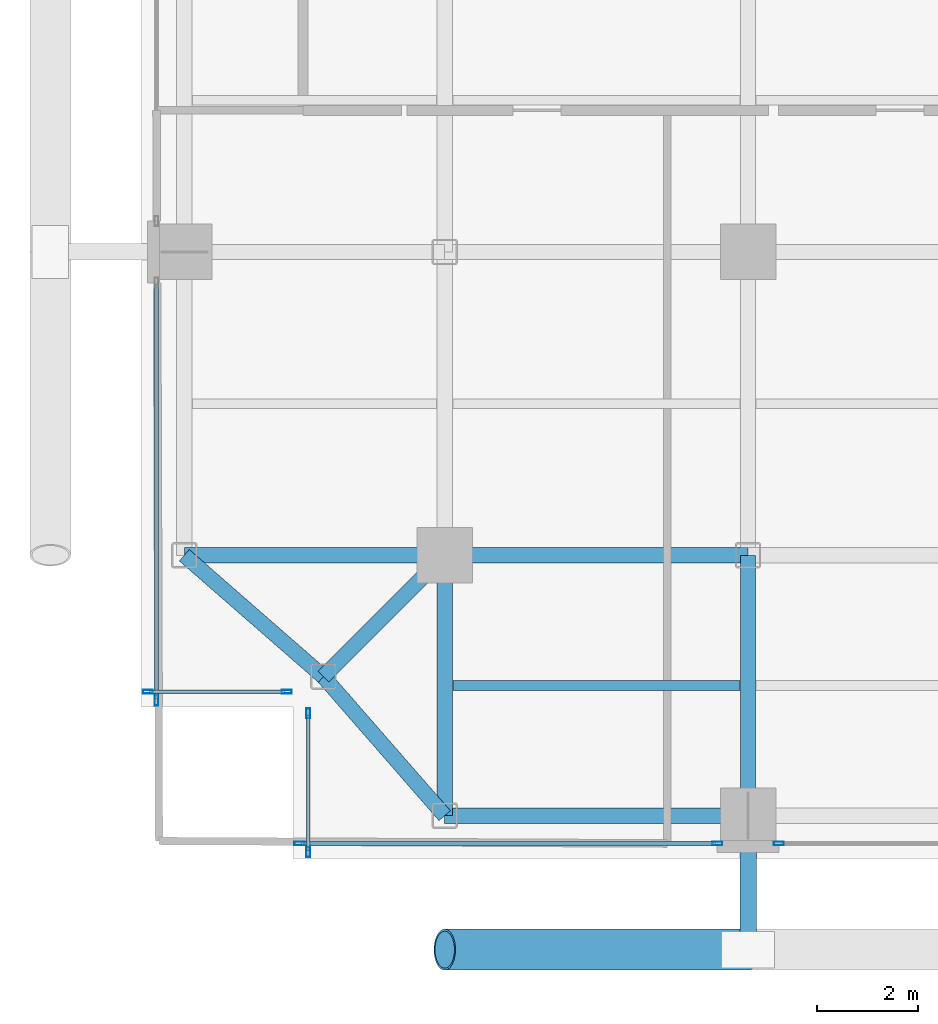
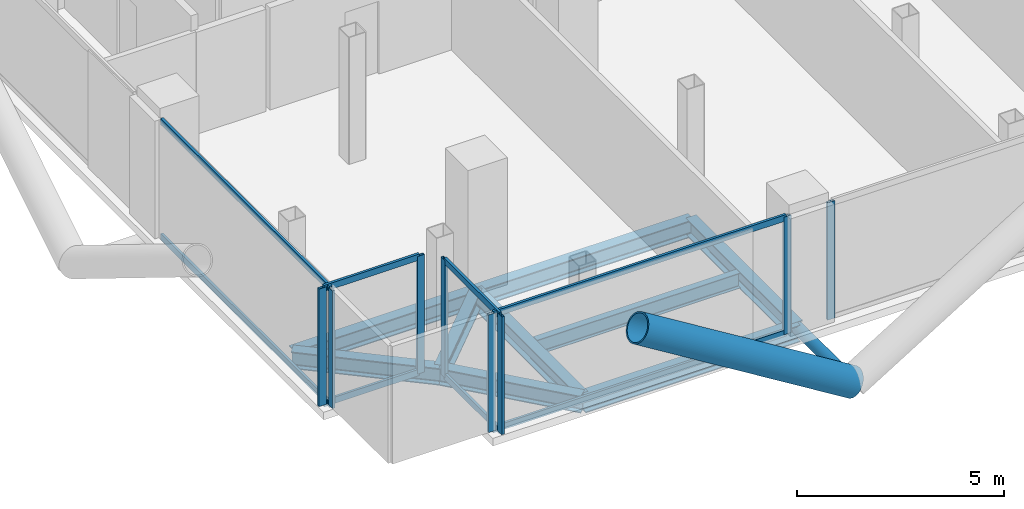
# One storey, part 2 of 28: 18 members, 9 beams, 5 elements without a shape of their own.
"""IFC4 building model written with IfcOpenShell, lengths in metres."""

import ifcopenshell
import ifcopenshell.guid

model = None  # the IFC model being written
_history = None  # IfcOwnerHistory: only IFC2X3 demands one
_inside = {}  # id of a spatial element -> (the spatial element, [elements in it])
_under = {}  # id of a project, library or spatial element -> (it, [spatial elements below it])
_declared = {}  # id of a project -> (the project, [libraries it declares])
_typed = {}  # id of a type object -> (the type object, [elements of that type])
_made_of = {}  # id of a material, layer set ... -> (it, [elements and type objects made of it])


def new_model(schema):
    """Start an empty IFC model of exactly this schema.

    Asked for "IFC4X3", IfcOpenShell would pick the latest addendum, in which some entities
    have other attributes; the version numbers below select the first issue.
    IFC2X3 requires an IfcOwnerHistory on every rooted entity: one is made here for all.
    """
    global model, _history
    if schema == "IFC4X3":
        model = ifcopenshell.file(schema_version=(4, 3, 0, 0))
    else:
        model = ifcopenshell.file(schema=schema)
    _inside.clear()
    _under.clear()
    _declared.clear()
    _typed.clear()
    _made_of.clear()
    _history = None
    if model.schema == "IFC2X3":
        org = make("IfcOrganization", Name="unknown")
        user = make(
            "IfcPersonAndOrganization",
            ThePerson=make("IfcPerson", FamilyName="unknown"),
            TheOrganization=org,
        )
        app = make(
            "IfcApplication",
            ApplicationDeveloper=org,
            Version="unknown",
            ApplicationFullName="unknown",
            ApplicationIdentifier="unknown",
        )
        _history = make(
            "IfcOwnerHistory",
            OwningUser=user,
            OwningApplication=app,
            ChangeAction="ADDED",
            CreationDate=0,
        )
    return model


def make(cls, **values):
    """One entity of the class cls with the attributes given. An attribute that is None is left unset."""
    return model.create_entity(
        cls, **{name: value for name, value in values.items() if value is not None}
    )


def rooted(cls, **values):
    """An entity with a GlobalId (a new one), such as an element, a storey or a relation."""
    return make(cls, GlobalId=ifcopenshell.guid.new(), OwnerHistory=_history, **values)


def si_unit(unit_type, name, prefix=None):
    """IfcSIUnit, for example si_unit("LENGTHUNIT", "METRE", prefix="MILLI")."""
    return make("IfcSIUnit", UnitType=unit_type, Prefix=prefix, Name=name)


def assignment(units):
    """IfcUnitAssignment: the units of a project."""
    return None if units is None else make("IfcUnitAssignment", Units=units)


def point(xyz):
    """IfcCartesianPoint."""
    return None if xyz is None else make("IfcCartesianPoint", Coordinates=xyz)


def direction(xyz):
    """IfcDirection."""
    return None if xyz is None else make("IfcDirection", DirectionRatios=xyz)


def frame(location, z_axis=None, x_axis=None):
    """IfcAxis2Placement3D, a coordinate frame: its origin and axes. An axis left out is left unset."""
    return make(
        "IfcAxis2Placement3D",
        Location=point(location),
        Axis=direction(z_axis),
        RefDirection=direction(x_axis),
    )


def frame_2d(location, x_axis=None):
    """IfcAxis2Placement2D, a coordinate frame in the plane: its origin and x axis."""
    return make(
        "IfcAxis2Placement2D", Location=point(location), RefDirection=direction(x_axis)
    )


def origin():
    """The frame at (0, 0, 0) with its axes left unset."""
    return frame((0.0, 0.0, 0.0))


def origin_2d():
    """The frame at (0, 0) in the plane with its x axis left unset."""
    return frame_2d((0.0, 0.0))


def place(relative_to, where):
    """IfcLocalPlacement: puts the frame where relative to a parent placement (None: the world)."""
    return make(
        "IfcLocalPlacement", PlacementRelTo=relative_to, RelativePlacement=where
    )


def context(
    kind, dimensions, precision=None, world=None, true_north=None, identifier=None
):
    """IfcGeometricRepresentationContext, for example the 3D "Model" context."""
    return make(
        "IfcGeometricRepresentationContext",
        ContextIdentifier=identifier,
        ContextType=kind,
        CoordinateSpaceDimension=dimensions,
        Precision=precision,
        WorldCoordinateSystem=world,
        TrueNorth=true_north,
    )


def subcontext(parent, identifier, kind, view, scale=None):
    """IfcGeometricRepresentationSubContext, for example "Body" below "Model"."""
    return make(
        "IfcGeometricRepresentationSubContext",
        ContextIdentifier=identifier,
        ContextType=kind,
        ParentContext=parent,
        TargetScale=scale,
        TargetView=view,
    )


def project(units=None, contexts=None):
    """IfcProject with its units and contexts."""
    return rooted(
        "IfcProject",
        Name="project",
        RepresentationContexts=contexts,
        UnitsInContext=assignment(units),
    )


def spatial(cls, under=None, at=None, **own):
    """A site, building, storey or space (cls), placed at a placement, below another one or the project."""
    s = rooted(cls, ObjectPlacement=at, **own)
    if under is not None:
        _under.setdefault(under.id(), (under, []))[1].append(s)
    return s


def profile(cls, at=None, kind="AREA", **sizes):
    """A parametric profile (cls). Its sizes go by their IFC names, for example OverallWidth=200.0."""
    return make(cls, ProfileType=kind, Position=at, **sizes)


def hollow_rectangle(**sizes):
    """IfcRectangleHollowProfileDef."""
    return profile("IfcRectangleHollowProfileDef", **sizes)


def hollow_circle(**sizes):
    """IfcCircleHollowProfileDef."""
    return profile("IfcCircleHollowProfileDef", **sizes)


def i_section(**sizes):
    """IfcIShapeProfileDef."""
    return profile("IfcIShapeProfileDef", **sizes)


def extrude(swept, where, along, depth):
    """IfcExtrudedAreaSolid: the profile swept, set in the frame where, extruded along a direction by depth."""
    return make(
        "IfcExtrudedAreaSolid",
        SweptArea=swept,
        Position=where,
        ExtrudedDirection=direction(along),
        Depth=depth,
    )


def shape(context_of_items, identifier, shape_type, items):
    """IfcShapeRepresentation: the items that make up one representation, for example the "Body"."""
    return make(
        "IfcShapeRepresentation",
        ContextOfItems=context_of_items,
        RepresentationIdentifier=identifier,
        RepresentationType=shape_type,
        Items=items,
    )


def material(Name=None, Category=None):
    """IfcMaterial."""
    return make("IfcMaterial", Name=Name, Category=Category)


def layer(
    of_material, thickness, ventilated=None, Name=None, Category=None, Priority=None
):
    """IfcMaterialLayer: one layer of a wall or slab, of a material (None: an air gap)."""
    return make(
        "IfcMaterialLayer",
        Material=of_material,
        LayerThickness=thickness,
        IsVentilated=ventilated,
        Name=Name,
        Category=Category,
        Priority=Priority,
    )


def layer_set(layers, Name=None):
    """IfcMaterialLayerSet."""
    return make("IfcMaterialLayerSet", MaterialLayers=layers, LayerSetName=Name)


def material_profile(
    of_material, cross_section, Name=None, Category=None, Priority=None
):
    """IfcMaterialProfile: a cross section and its material."""
    return make(
        "IfcMaterialProfile",
        Name=Name,
        Material=of_material,
        Profile=cross_section,
        Priority=Priority,
        Category=Category,
    )


def profile_set(profiles, Name=None, composite=None):
    """IfcMaterialProfileSet."""
    return make(
        "IfcMaterialProfileSet",
        Name=Name,
        MaterialProfiles=profiles,
        CompositeProfile=composite,
    )


def made_of(thing, what):
    """Note that an element or type object is made of a material, layer set ...; save() writes the relation."""
    if what is not None:
        _made_of.setdefault(what.id(), (what, []))[1].append(thing)
    return thing


def type_object(cls, material=None, **own):
    """A type object (cls), such as IfcWallType, which elements share."""
    return made_of(rooted(cls, **own), material)


def element(
    cls,
    number,
    at=None,
    inside=None,
    cuts=None,
    type_object=None,
    material=None,
    context=None,
    identifier="Body",
    shape_type=None,
    held_by="IfcProductDefinitionShape",
    body=None,
    shapes=None,
    **own,
):
    """One element of the class cls, such as IfcWall. Its Tag is "e" and its number.

    at: its placement. inside: the storey or other place that contains it. cuts: it is an
    opening in that element (IfcRelVoidsElement). A single representation is given by context,
    identifier, shape_type and body (its items); several are given by shapes. held_by: the class
    of the entity that holds the representations. save() writes the other relations.
    """
    e = rooted(cls, Tag="e%d" % number, ObjectPlacement=at, **own)
    if body is not None:
        shapes = [shape(context, identifier, shape_type, body)]
    if shapes is not None:
        e.Representation = make(held_by, Representations=shapes)
    if inside is not None:
        _inside.setdefault(inside.id(), (inside, []))[1].append(e)
    if cuts is not None:
        rooted(
            "IfcRelVoidsElement", RelatingBuildingElement=cuts, RelatedOpeningElement=e
        )
    if type_object is not None:
        _typed.setdefault(type_object.id(), (type_object, []))[1].append(e)
    return made_of(e, material)


def aggregate(whole, parts):
    """IfcRelAggregates: a whole, such as a stair, and the parts it consists of."""
    return rooted("IfcRelAggregates", RelatingObject=whole, RelatedObjects=parts)


def save(model, path):
    """Write the relations noted so far, then the file.

    IfcRelAggregates (storeys below a building ...), IfcRelContainedInSpatialStructure (elements
    in a storey), IfcRelDefinesByType, IfcRelAssociatesMaterial and IfcRelDeclares: one each for
    every whole, place, type object, material and project.
    """
    for whole, parts in _under.values():
        aggregate(whole, parts)
    for where, things in _inside.values():
        rooted(
            "IfcRelContainedInSpatialStructure",
            RelatedElements=things,
            RelatingStructure=where,
        )
    for kind, things in _typed.values():
        rooted("IfcRelDefinesByType", RelatedObjects=things, RelatingType=kind)
    for what, things in _made_of.values():
        rooted("IfcRelAssociatesMaterial", RelatedObjects=things, RelatingMaterial=what)
    for by, libraries in _declared.values():
        rooted("IfcRelDeclares", RelatingContext=by, RelatedDefinitions=libraries)
    model.write(path)


model = new_model("IFC4")

# Units and contexts
model_context = context("Model", 3, precision=1e-05, world=origin(), true_north=direction((0.0, 1.0)))
body_context = subcontext(model_context, "Body", "Model", "MODEL_VIEW")
ifc_project = project(units=[si_unit("LENGTHUNIT", "METRE"), si_unit("AREAUNIT", "SQUARE_METRE"), si_unit("VOLUMEUNIT", "CUBIC_METRE"), si_unit("PLANEANGLEUNIT", "RADIAN"), si_unit("MASSUNIT", "GRAM", prefix="KILO"), si_unit("THERMODYNAMICTEMPERATUREUNIT", "KELVIN"), si_unit("POWERUNIT", "WATT")], contexts=[model_context])

# Site, building, storey
site_placement = place(None, origin())
site = spatial("IfcSite", under=ifc_project, at=site_placement, CompositionType="ELEMENT")
building_placement = place(site_placement, origin())
building = spatial("IfcBuilding", under=site, at=building_placement, Name="Svarakhadi Broadcast Tower", CompositionType="ELEMENT")
storey_placement = place(building_placement, frame((0.0, 0.0, 107.10009765625)))
storey = spatial("IfcBuildingStorey", under=building, at=storey_placement, Name="L25", CompositionType="ELEMENT", Elevation=107.10009765625)

# Beam
ifc_material_1 = material(Name="Steel S355J2 (IS 2062 E350C)", Category="steel")
ifc_material_profile_1 = material_profile(ifc_material_1, i_section(OverallWidth=0.18994140625, OverallDepth=0.449951171875, WebThickness=0.009521484375, FlangeThickness=0.0146484375, FilletRadius=0.02099609375, at=origin_2d()), Name="NPB 450x190x78")
ifc_profile_set_1 = profile_set([ifc_material_profile_1], Name="Steel S355J2 (IS 2062 E350C)")
beam_type_1 = type_object("IfcBeamType", Name="Beam_NPB450", PredefinedType="BEAM", material=ifc_profile_set_1)
beam_1_placement = place(storey_placement, frame((6.159912109375, 3.425048828125, -0.4501953125), z_axis=(1.0, 0.0, 0.0), x_axis=(0.0, 1.0, 0.0)))
element("IfcBeam", 1, at=beam_1_placement, inside=storey, type_object=beam_type_1, Name="L25 Secondary Composite Beam SB006", PredefinedType="BEAM", context=body_context, shape_type="SweptSolid", body=[
    extrude(i_section(OverallWidth=0.18994140625, OverallDepth=0.449951171875, WebThickness=0.009521484375, FlangeThickness=0.0146484375, FilletRadius=0.02099609375, at=origin_2d()), origin(), (0.0, 0.0, 1.0), 5.68017578125),
])

# Curtain wall, members
ifc_material_2 = material(Name="Anodised Bronze Aluminium AA 6063-T6", Category="aluminium")
ifc_layer = layer(ifc_material_2, 0.199951171875)
ifc_layer_set = layer_set([ifc_layer], Name="Anodised Bronze Aluminium AA 6063-T6")
curtain_wall_type = type_object("IfcCurtainWallType", Name="CW_Sys_03", PredefinedType="NOTDEFINED", material=ifc_layer_set)
curtain_wall_1_placement = place(storey_placement, origin())
curtain_wall_1 = element("IfcCurtainWall", 2, at=curtain_wall_1_placement, inside=storey, type_object=curtain_wall_type, Name="L25 Unitised Facade Curtain Wall 01", PredefinedType="NOTDEFINED")
ifc_material_profile_2 = material_profile(ifc_material_2, hollow_rectangle(XDim=0.074951171875, YDim=0.199951171875, WallThickness=0.005615234375, at=origin_2d()), Name="ALU MULLION 200x75x6")
ifc_profile_set_2 = profile_set([ifc_material_profile_2], Name="Anodised Bronze Aluminium AA 6063-T6")
member_type_1 = type_object("IfcMemberType", Name="CW_Sys_03_Mul", PredefinedType="MULLION", material=ifc_profile_set_2)
member_1_placement = place(storey_placement, frame((2.87255859375, 3.300048828125, 0.0), z_axis=(0.0, 0.0, 1.0), x_axis=(0.0, -1.0, 0.0)))
member_1 = element("IfcMember", 3, at=member_1_placement, type_object=member_type_1, Name="CW-03 mullion 1", PredefinedType="MULLION", context=body_context, shape_type="SweptSolid", body=[
    extrude(hollow_rectangle(XDim=0.074951171875, YDim=0.199951171875, WallThickness=0.005615234375, at=origin_2d()), origin(), (0.0, 0.0, 1.0), 3.474853515625),
])
member_2_placement = place(storey_placement, frame((0.12744140625, 3.300048828125, 0.0), z_axis=(0.0, 0.0, 1.0), x_axis=(0.0, -1.0, 0.0)))
member_2 = element("IfcMember", 4, at=member_2_placement, type_object=member_type_1, Name="CW-03 mullion 2", PredefinedType="MULLION", context=body_context, shape_type="SweptSolid", body=[
    extrude(hollow_rectangle(XDim=0.074951171875, YDim=0.199951171875, WallThickness=0.005615234375, at=origin_2d()), origin(), (0.0, 0.0, 1.0), 3.474853515625),
])

# Curtain wall, member
curtain_wall_2_placement = place(storey_placement, origin())
curtain_wall_2 = element("IfcCurtainWall", 5, at=curtain_wall_2_placement, inside=storey, type_object=curtain_wall_type, Name="L25 West Curtain Wall 02 Bay 1", PredefinedType="NOTDEFINED")
member_3_placement = place(storey_placement, frame((0.300048828125, 3.12744140625, 0.0), z_axis=(0.0, 0.0, 1.0), x_axis=(-1.0, 0.0, 0.0)))
member_3 = element("IfcMember", 6, at=member_3_placement, type_object=member_type_1, Name="CW-03 mullion 1", PredefinedType="MULLION", context=body_context, shape_type="SweptSolid", body=[
    extrude(hollow_rectangle(XDim=0.074951171875, YDim=0.199951171875, WallThickness=0.005615234375, at=origin_2d()), origin(), (0.0, 0.0, 1.0), 3.474853515625),
])

curtain_wall_3_placement = place(storey_placement, origin())
curtain_wall_3 = element("IfcCurtainWall", 7, at=curtain_wall_3_placement, inside=storey, type_object=curtain_wall_type, Name="L25 South Curtain Wall 17 Bay 3", PredefinedType="NOTDEFINED")
member_4_placement = place(storey_placement, frame((12.607421875, 0.300048828125, 0.0), z_axis=(0.0, 0.0, 1.0), x_axis=(0.0, -1.0, 0.0)))
member_4 = element("IfcMember", 8, at=member_4_placement, type_object=member_type_1, Name="CW-03 mullion 2", PredefinedType="MULLION", context=body_context, shape_type="SweptSolid", body=[
    extrude(hollow_rectangle(XDim=0.074951171875, YDim=0.199951171875, WallThickness=0.005615234375, at=origin_2d()), origin(), (0.0, 0.0, 1.0), 3.474853515625),
])
aggregate(curtain_wall_3, [member_4])

# Curtain wall, members
curtain_wall_4_placement = place(storey_placement, origin())
curtain_wall_4 = element("IfcCurtainWall", 9, at=curtain_wall_4_placement, inside=storey, type_object=curtain_wall_type, Name="L25 South Curtain Wall 17 Bay 4", PredefinedType="NOTDEFINED")
member_5_placement = place(storey_placement, frame((11.392578125, 0.300048828125, 0.0), z_axis=(0.0, 0.0, 1.0), x_axis=(0.0, -1.0, 0.0)))
member_5 = element("IfcMember", 10, at=member_5_placement, type_object=member_type_1, Name="CW-03 mullion 1", PredefinedType="MULLION", context=body_context, shape_type="SweptSolid", body=[
    extrude(hollow_rectangle(XDim=0.074951171875, YDim=0.199951171875, WallThickness=0.005615234375, at=origin_2d()), origin(), (0.0, 0.0, 1.0), 3.474853515625),
])
member_6_placement = place(storey_placement, frame((3.12744140625, 0.300048828125, 0.0), z_axis=(0.0, 0.0, 1.0), x_axis=(0.0, -1.0, 0.0)))
member_6 = element("IfcMember", 11, at=member_6_placement, type_object=member_type_1, Name="CW-03 mullion 2", PredefinedType="MULLION", context=body_context, shape_type="SweptSolid", body=[
    extrude(hollow_rectangle(XDim=0.074951171875, YDim=0.199951171875, WallThickness=0.005615234375, at=origin_2d()), origin(), (0.0, 0.0, 1.0), 3.474853515625),
])

curtain_wall_5_placement = place(storey_placement, origin())
curtain_wall_5 = element("IfcCurtainWall", 12, at=curtain_wall_5_placement, inside=storey, type_object=curtain_wall_type, Name="L25 Unitised Facade Curtain Wall 18", PredefinedType="NOTDEFINED")
member_7_placement = place(storey_placement, frame((3.300048828125, 0.12744140625, 0.0), z_axis=(0.0, 0.0, 1.0), x_axis=(-1.0, 0.0, 0.0)))
member_7 = element("IfcMember", 13, at=member_7_placement, type_object=member_type_1, Name="CW-03 mullion 1", PredefinedType="MULLION", context=body_context, shape_type="SweptSolid", body=[
    extrude(hollow_rectangle(XDim=0.074951171875, YDim=0.199951171875, WallThickness=0.005615234375, at=origin_2d()), origin(), (0.0, 0.0, 1.0), 3.474853515625),
])
member_8_placement = place(storey_placement, frame((3.300048828125, 2.87255859375, 0.0), z_axis=(0.0, 0.0, 1.0), x_axis=(-1.0, 0.0, 0.0)))
member_8 = element("IfcMember", 14, at=member_8_placement, type_object=member_type_1, Name="CW-03 mullion 2", PredefinedType="MULLION", context=body_context, shape_type="SweptSolid", body=[
    extrude(hollow_rectangle(XDim=0.074951171875, YDim=0.199951171875, WallThickness=0.005615234375, at=origin_2d()), origin(), (0.0, 0.0, 1.0), 3.474853515625),
])

# Member
ifc_material_profile_3 = material_profile(ifc_material_2, hollow_rectangle(XDim=0.070068359375, YDim=0.18505859375, WallThickness=0.0048828125, at=origin_2d()), Name="ALU TRANSOM 185x70x5")
ifc_profile_set_3 = profile_set([ifc_material_profile_3], Name="Anodised Bronze Aluminium AA 6063-T6")
member_type_2 = type_object("IfcMemberType", Name="CW_Sys_03_Trn", PredefinedType="USERDEFINED", material=ifc_profile_set_3)
member_9_placement = place(storey_placement, frame((2.8349609375, 3.300048828125, 0.034912109375), z_axis=(-1.0, 0.0, 0.0), x_axis=(0.0, -1.0, 0.0)))
member_9 = element("IfcMember", 15, at=member_9_placement, type_object=member_type_2, Name="CW-03 transom 1.1", ObjectType="TRANSOM", PredefinedType="USERDEFINED", context=body_context, shape_type="SweptSolid", body=[
    extrude(hollow_rectangle(XDim=0.070068359375, YDim=0.18505859375, WallThickness=0.0048828125, at=origin_2d()), origin(), (0.0, 0.0, 1.0), 2.669921875),
])

member_10_placement = place(storey_placement, frame((2.8349609375, 3.300048828125, 3.43994140625), z_axis=(-1.0, 0.0, 0.0), x_axis=(0.0, -1.0, 0.0)))
member_10 = element("IfcMember", 16, at=member_10_placement, type_object=member_type_2, Name="CW-03 transom 1.2", ObjectType="TRANSOM", PredefinedType="USERDEFINED", context=body_context, shape_type="SweptSolid", body=[
    extrude(hollow_rectangle(XDim=0.070068359375, YDim=0.18505859375, WallThickness=0.0048828125, at=origin_2d()), origin(), (0.0, 0.0, 1.0), 2.669921875),
])

aggregate(curtain_wall_1, [member_1, member_2, member_9, member_10])

member_11_placement = place(storey_placement, frame((0.300048828125, 3.1650390625, 0.034912109375), z_axis=(0.0, 1.0, 0.0), x_axis=(-1.0, 0.0, 0.0)))
member_11 = element("IfcMember", 17, at=member_11_placement, type_object=member_type_2, Name="CW-03 transom 1.1", ObjectType="TRANSOM", PredefinedType="USERDEFINED", context=body_context, shape_type="SweptSolid", body=[
    extrude(hollow_rectangle(XDim=0.070068359375, YDim=0.18505859375, WallThickness=0.0048828125, at=origin_2d()), origin(), (0.0, 0.0, 1.0), 8.18994140625),
])

member_12_placement = place(storey_placement, frame((0.300048828125, 3.1650390625, 3.43994140625), z_axis=(0.0, 1.0, 0.0), x_axis=(-1.0, 0.0, 0.0)))
member_12 = element("IfcMember", 18, at=member_12_placement, type_object=member_type_2, Name="CW-03 transom 1.2", ObjectType="TRANSOM", PredefinedType="USERDEFINED", context=body_context, shape_type="SweptSolid", body=[
    extrude(hollow_rectangle(XDim=0.070068359375, YDim=0.18505859375, WallThickness=0.0048828125, at=origin_2d()), origin(), (0.0, 0.0, 1.0), 8.18994140625),
])

aggregate(curtain_wall_2, [member_3, member_11, member_12])

member_13_placement = place(storey_placement, frame((11.35498046875, 0.300048828125, 0.034912109375), z_axis=(-1.0, 0.0, 0.0), x_axis=(0.0, -1.0, 0.0)))
member_13 = element("IfcMember", 19, at=member_13_placement, type_object=member_type_2, Name="CW-03 transom 1.1", ObjectType="TRANSOM", PredefinedType="USERDEFINED", context=body_context, shape_type="SweptSolid", body=[
    extrude(hollow_rectangle(XDim=0.070068359375, YDim=0.18505859375, WallThickness=0.0048828125, at=origin_2d()), origin(), (0.0, 0.0, 1.0), 8.18994140625),
])

member_14_placement = place(storey_placement, frame((11.35498046875, 0.300048828125, 3.43994140625), z_axis=(-1.0, 0.0, 0.0), x_axis=(0.0, -1.0, 0.0)))
member_14 = element("IfcMember", 20, at=member_14_placement, type_object=member_type_2, Name="CW-03 transom 1.2", ObjectType="TRANSOM", PredefinedType="USERDEFINED", context=body_context, shape_type="SweptSolid", body=[
    extrude(hollow_rectangle(XDim=0.070068359375, YDim=0.18505859375, WallThickness=0.0048828125, at=origin_2d()), origin(), (0.0, 0.0, 1.0), 8.18994140625),
])

aggregate(curtain_wall_4, [member_5, member_6, member_13, member_14])

member_15_placement = place(storey_placement, frame((3.300048828125, 0.1650390625, 0.034912109375), z_axis=(0.0, 1.0, 0.0), x_axis=(-1.0, 0.0, 0.0)))
member_15 = element("IfcMember", 21, at=member_15_placement, type_object=member_type_2, Name="CW-03 transom 1.1", ObjectType="TRANSOM", PredefinedType="USERDEFINED", context=body_context, shape_type="SweptSolid", body=[
    extrude(hollow_rectangle(XDim=0.070068359375, YDim=0.18505859375, WallThickness=0.0048828125, at=origin_2d()), origin(), (0.0, 0.0, 1.0), 2.669921875),
])

member_16_placement = place(storey_placement, frame((3.300048828125, 0.1650390625, 3.43994140625), z_axis=(0.0, 1.0, 0.0), x_axis=(-1.0, 0.0, 0.0)))
member_16 = element("IfcMember", 22, at=member_16_placement, type_object=member_type_2, Name="CW-03 transom 1.2", ObjectType="TRANSOM", PredefinedType="USERDEFINED", context=body_context, shape_type="SweptSolid", body=[
    extrude(hollow_rectangle(XDim=0.070068359375, YDim=0.18505859375, WallThickness=0.0048828125, at=origin_2d()), origin(), (0.0, 0.0, 1.0), 2.669921875),
])

aggregate(curtain_wall_5, [member_7, member_8, member_15, member_16])

# Members
ifc_material_3 = material(Name="Steel S460ML (IS 2062 E450BR)", Category="steel")
ifc_material_profile_4 = material_profile(ifc_material_3, hollow_circle(Radius=0.406494140625, WallThickness=0.0400390625, at=origin_2d()), Name="CHS 813x40")
ifc_profile_set_4 = profile_set([ifc_material_profile_4], Name="Steel S460ML (IS 2062 E450BR)")
member_type_3 = type_object("IfcMemberType", Name="Exo_Brace_CHS813", PredefinedType="BRACE", material=ifc_profile_set_4)
member_17_placement = place(storey_placement, frame((12.0, -1.800048828125, -0.386962890625), z_axis=(-0.851173964427, 0.0, 0.524883684525), x_axis=(0.0, -1.0, 0.0)))
element("IfcMember", 23, at=member_17_placement, inside=storey, type_object=member_type_3, Name="L25 Exposed Bronze Exoskeleton Diagonal S01", PredefinedType="BRACE", context=body_context, shape_type="SweptSolid", body=[
    extrude(hollow_circle(Radius=0.406494140625, WallThickness=0.0400390625, at=origin_2d()), origin(), (0.0, 0.0, 1.0), 7.049072265625),
])
ifc_material_profile_5 = material_profile(ifc_material_3, hollow_circle(Radius=0.161865234375, WallThickness=0.01611328125, at=origin_2d()), Name="CHS 323.9x16")
ifc_profile_set_5 = profile_set([ifc_material_profile_5], Name="Steel S460ML (IS 2062 E450BR)")
member_type_4 = type_object("IfcMemberType", Name="Exo_Radial_Strut_Z2", PredefinedType="STRUT", material=ifc_profile_set_5)
member_18_placement = place(storey_placement, frame((12.0, -1.800048828125, -0.386962890625), z_axis=(0.0, 1.0, 0.0), x_axis=(-1.0, 0.0, 0.0)))
element("IfcMember", 24, at=member_18_placement, inside=storey, type_object=member_type_4, Name="L25 Exoskeleton Radial Tie Strut S01", PredefinedType="STRUT", context=body_context, shape_type="SweptSolid", body=[
    extrude(hollow_circle(Radius=0.161865234375, WallThickness=0.01611328125, at=origin_2d()), origin(), (0.0, 0.0, 1.0), 2.650146484375),
])

# Beams
ifc_material_profile_6 = material_profile(ifc_material_1, i_section(OverallWidth=0.300048828125, OverallDepth=0.5, WebThickness=0.014404296875, FlangeThickness=0.028076171875, FilletRadius=0.027099609375, at=origin_2d()), Name="WPB 500x300x187")
ifc_profile_set_6 = profile_set([ifc_material_profile_6], Name="Steel S355J2 (IS 2062 E350C)")
beam_type_2 = type_object("IfcBeamType", Name="Girder_WPB500", PredefinedType="USERDEFINED", material=ifc_profile_set_6)
beam_2_placement = place(storey_placement, frame((3.60009765625, 3.60009765625, -0.47509765625), z_axis=(0.707106781187, 0.707106781187, 0.0), x_axis=(-0.707106781187, 0.707106781187, 0.0)))
element("IfcBeam", 25, at=beam_2_placement, inside=storey, type_object=beam_type_2, Name="L25 Corner Tie Girder G001", ObjectType="GIRDER", PredefinedType="USERDEFINED", context=body_context, shape_type="SweptSolid", body=[
    extrude(i_section(OverallWidth=0.300048828125, OverallDepth=0.5, WebThickness=0.014404296875, FlangeThickness=0.028076171875, FilletRadius=0.027099609375, at=origin_2d()), origin(), (0.0, 0.0, 1.0), 3.39404296875),
])
for number, where, z_axis, x_axis, name in (
    (26, (3.60009765625, 3.60009765625, -0.47509765625), (-0.753437912176, 0.657519058655, 0.0), (-0.657519058655, -0.753437912176, 0.0), "L25 Corner Tie Girder G002"),
    (27, (3.60009765625, 3.60009765625, -0.47509765625), (0.657519058655, -0.753437912176, 0.0), (0.753437912176, 0.657519058655, 0.0), "L25 Corner Tie Girder G003"),
):
    element("IfcBeam", number, at=place(storey_placement, frame(where, z_axis=z_axis, x_axis=x_axis)), inside=storey, type_object=beam_type_2, Name=name, ObjectType="GIRDER", PredefinedType="USERDEFINED", context=body_context, shape_type="SweptSolid", body=[
        extrude(i_section(OverallWidth=0.300048828125, OverallDepth=0.5, WebThickness=0.014404296875, FlangeThickness=0.028076171875, FilletRadius=0.027099609375, at=origin_2d()), origin(), (0.0, 0.0, 1.0), 3.64990234375),
    ])
beam_3_placement = place(storey_placement, frame((6.0, 0.85009765625, -0.47509765625), z_axis=(1.0, 0.0, 0.0), x_axis=(0.0, 1.0, 0.0)))
element("IfcBeam", 28, at=beam_3_placement, inside=storey, type_object=beam_type_2, Name="L25 Primary E-W Girder G004", ObjectType="GIRDER", PredefinedType="USERDEFINED", context=body_context, shape_type="SweptSolid", body=[
    extrude(i_section(OverallWidth=0.300048828125, OverallDepth=0.5, WebThickness=0.014404296875, FlangeThickness=0.028076171875, FilletRadius=0.027099609375, at=origin_2d()), origin(), (0.0, 0.0, 1.0), 6.0),
])
beam_4_placement = place(storey_placement, frame((0.85009765625, 6.0, -0.47509765625), z_axis=(1.0, 0.0, 0.0), x_axis=(0.0, 1.0, 0.0)))
element("IfcBeam", 29, at=beam_4_placement, inside=storey, type_object=beam_type_2, Name="L25 Primary E-W Girder G010", ObjectType="GIRDER", PredefinedType="USERDEFINED", context=body_context, shape_type="SweptSolid", body=[
    extrude(i_section(OverallWidth=0.300048828125, OverallDepth=0.5, WebThickness=0.014404296875, FlangeThickness=0.028076171875, FilletRadius=0.027099609375, at=origin_2d()), origin(), (0.0, 0.0, 1.0), 5.14990234375),
])
beam_5_placement = place(storey_placement, frame((6.0, 6.0, -0.47509765625), z_axis=(1.0, 0.0, 0.0), x_axis=(0.0, 1.0, 0.0)))
element("IfcBeam", 30, at=beam_5_placement, inside=storey, type_object=beam_type_2, Name="L25 Primary E-W Girder G011", ObjectType="GIRDER", PredefinedType="USERDEFINED", context=body_context, shape_type="SweptSolid", body=[
    extrude(i_section(OverallWidth=0.300048828125, OverallDepth=0.5, WebThickness=0.014404296875, FlangeThickness=0.028076171875, FilletRadius=0.027099609375, at=origin_2d()), origin(), (0.0, 0.0, 1.0), 6.0),
])
for number, where, z_axis, x_axis, name in (
    (31, (6.0, 0.85009765625, -0.47509765625), (0.0, 1.0, 0.0), (-1.0, 0.0, 0.0), "L25 Primary N-S Girder G045"),
    (32, (12.0, 0.85009765625, -0.47509765625), (0.0, 1.0, 0.0), (-1.0, 0.0, 0.0), "L25 Primary N-S Girder G051"),
):
    element("IfcBeam", number, at=place(storey_placement, frame(where, z_axis=z_axis, x_axis=x_axis)), inside=storey, type_object=beam_type_2, Name=name, ObjectType="GIRDER", PredefinedType="USERDEFINED", context=body_context, shape_type="SweptSolid", body=[
        extrude(i_section(OverallWidth=0.300048828125, OverallDepth=0.5, WebThickness=0.014404296875, FlangeThickness=0.028076171875, FilletRadius=0.027099609375, at=origin_2d()), origin(), (0.0, 0.0, 1.0), 5.14990234375),
    ])

save(model, "model.ifc")
